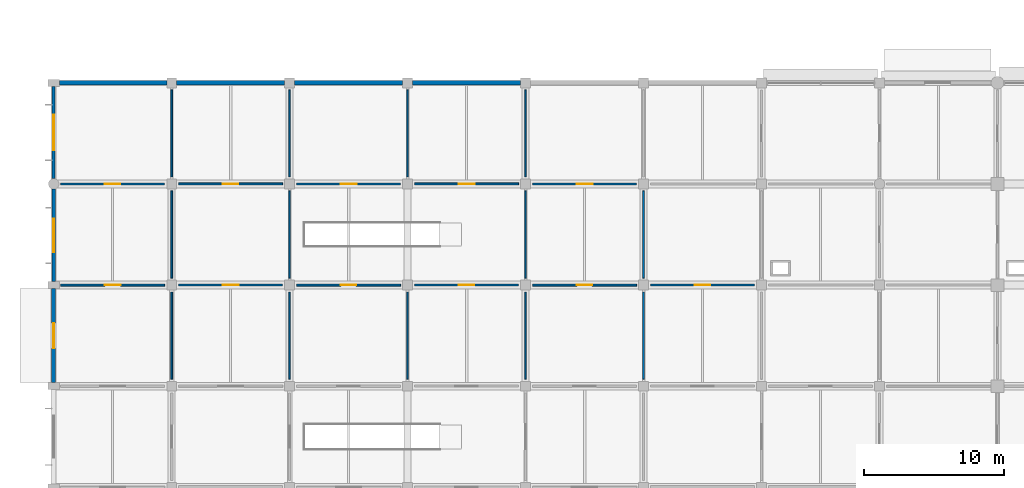
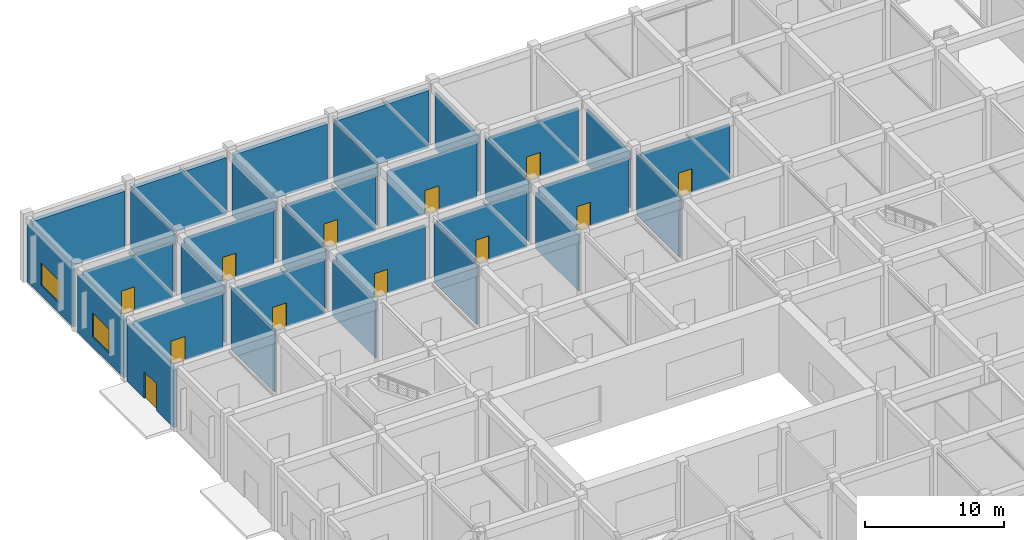
# One storey, part 19 of 39: 31 walls, 12 doors, 2 windows, 14 openings.
"""IFC4 building model written with IfcOpenShell, lengths in metres."""

from ifc_helpers import new_model, si_unit, derived_unit, direction, frame, frame_2d, origin, place, context, subcontext, project, spatial, rectangle, extrude, material, layer, layer_set, type_object, element, fill, save


model = new_model("IFC4")

# Units and contexts
model_context = context("Model", 3, precision=1e-05, world=origin(), true_north=direction((0.0, 1.0)))
body_context = subcontext(model_context, "Body", "Model", "MODEL_VIEW")
ifc_project = project(units=[si_unit("LENGTHUNIT", "METRE"), si_unit("AREAUNIT", "SQUARE_METRE"), si_unit("VOLUMEUNIT", "CUBIC_METRE"), si_unit("PLANEANGLEUNIT", "RADIAN"), si_unit("MASSUNIT", "GRAM", prefix="KILO"), derived_unit("THERMALTRANSMITTANCEUNIT", [(si_unit("MASSUNIT", "GRAM", prefix="KILO"), 1), (si_unit("TIMEUNIT", "SECOND"), -3), (si_unit("THERMODYNAMICTEMPERATUREUNIT", "KELVIN"), -1)])], contexts=[model_context])

# Site, building, storey
site_placement = place(None, origin())
site = spatial("IfcSite", under=ifc_project, at=site_placement, CompositionType="ELEMENT")
building_placement = place(site_placement, origin())
building = spatial("IfcBuilding", under=site, at=building_placement, Name="Veldstrom Oceanarium and Marine Research Institute", CompositionType="ELEMENT")
storey_placement = place(building_placement, origin())
storey = spatial("IfcBuildingStorey", under=building, at=storey_placement, Name="L00", CompositionType="ELEMENT", Elevation=0.0)

# Wall, opening, door
ifc_material_1 = material(Name="Masonry Cavity Wall", Category="masonry")
ifc_layer_1 = layer(ifc_material_1, 0.2900390625)
ifc_layer_set_1 = layer_set([ifc_layer_1], Name="ARC-WAL-EW2")
wall_type_1 = type_object("IfcWallType", Name="ARC-WAL-EW2", PredefinedType="SOLIDWALL", material=ifc_layer_set_1)
wall_1_placement = place(storey_placement, frame((0.0, 50.64990234375, 0.0), z_axis=(0.0, 0.0, 1.0), x_axis=(0.0, 1.0, 0.0)))
wall_1 = element("IfcWall", 1, at=wall_1_placement, inside=storey, type_object=wall_type_1, Name="Exterior Facade Wall EW2 L00-009", PredefinedType="SOLIDWALL", context=body_context, shape_type="SweptSolid", body=[
    extrude(rectangle(XDim=6.7001953125, YDim=0.2900390625, at=frame_2d((3.35009765625, 0.0))), origin(), (0.0, 0.0, 1.0), 5.02001953125),
])
opening_1_placement = place(wall_1_placement, frame((2.449951171875, 0.0, 0.0)))
opening_1 = element("IfcOpeningElement", 2, at=opening_1_placement, cuts=wall_1, Name="Opening D-L00-004", PredefinedType="OPENING", context=body_context, shape_type="SweptSolid", body=[
    extrude(rectangle(XDim=1.800048828125, YDim=2.35009765625, at=frame_2d((0.89990234375, 1.175048828125))), frame((0.0, 0.155029296875, 0.0), z_axis=(0.0, -1.0, 0.0), x_axis=(1.0, 0.0, 0.0)), (0.0, 0.0, 1.0), 0.31005859375),
])
ifc_material_2 = material(Name="Anodised Aluminium Glazed Door", Category="aluminium")
door_type_1 = type_object("IfcDoorType", Name="ARC-DOR-ED2", OperationType="DOUBLE_DOOR_SINGLE_SWING", PredefinedType="DOOR", material=ifc_material_2)
door_1_placement = place(opening_1_placement, origin())
door_1 = element("IfcDoor", 3, at=door_1_placement, inside=storey, type_object=door_type_1, Name="Street Entrance / Exit Door D-L00-004", OperationType="DOUBLE_DOOR_SINGLE_SWING", OverallHeight=2.35009765625, OverallWidth=1.800048828125, PredefinedType="DOOR", context=body_context, shape_type="SweptSolid", body=[
    extrude(rectangle(XDim=1.800048828125, YDim=2.35009765625, at=frame_2d((0.89990234375, 1.175048828125))), frame((0.0, 0.02490234375, 0.0), z_axis=(0.0, -1.0, 0.0), x_axis=(1.0, 0.0, 0.0)), (0.0, 0.0, 1.0), 0.050048828125),
])
fill(opening_1, door_1)

# Wall, opening, window
ifc_material_3 = material(Name="Masonry Cavity Wall", Category="masonry")
ifc_layer_2 = layer(ifc_material_3, 0.27001953125)
ifc_layer_set_2 = layer_set([ifc_layer_2], Name="ARC-WAL-EW3")
wall_type_2 = type_object("IfcWallType", Name="ARC-WAL-EW3", PredefinedType="SOLIDWALL", material=ifc_layer_set_2)
wall_2_placement = place(storey_placement, frame((0.0, 57.85009765625, 0.0), z_axis=(0.0, 0.0, 1.0), x_axis=(0.0, 1.0, 0.0)))
wall_2 = element("IfcWall", 4, at=wall_2_placement, inside=storey, type_object=wall_type_2, Name="Exterior Facade Wall EW3 L00-010", PredefinedType="SOLIDWALL", context=body_context, shape_type="SweptSolid", body=[
    extrude(rectangle(XDim=6.574951171875, YDim=0.27001953125, at=frame_2d((3.28759765625, 0.0))), origin(), (0.0, 0.0, 1.0), 5.02001953125),
])
opening_2_placement = place(wall_2_placement, frame((2.08740234375, 0.0, 0.89990234375)))
opening_2 = element("IfcOpeningElement", 5, at=opening_2_placement, cuts=wall_2, Name="Opening W09", PredefinedType="OPENING", context=body_context, shape_type="SweptSolid", body=[
    extrude(rectangle(XDim=2.39990234375, YDim=2.10009765625, at=frame_2d((1.199951171875, 1.050048828125))), frame((0.0, 0.14501953125, 0.0), z_axis=(0.0, -1.0, 0.0), x_axis=(1.0, 0.0, 0.0)), (0.0, 0.0, 1.0), 0.2900390625),
])
ifc_material_4 = material(Name="Double Glazed Low-E IGU", Category="glass")
window_type_1 = type_object("IfcWindowType", Name="ARC-WIN-W09", PartitioningType="SINGLE_PANEL", PredefinedType="WINDOW", material=ifc_material_4)
window_1_placement = place(opening_2_placement, origin())
window_1 = element("IfcWindow", 6, at=window_1_placement, inside=storey, type_object=window_type_1, Name="Facade Window W09 L00-0007", OverallHeight=2.10009765625, OverallWidth=2.39990234375, PartitioningType="SINGLE_PANEL", PredefinedType="WINDOW", context=body_context, shape_type="SweptSolid", body=[
    extrude(rectangle(XDim=2.39990234375, YDim=2.10009765625, at=frame_2d((1.199951171875, 1.050048828125))), frame((0.0, 0.030029296875, 0.0), z_axis=(0.0, -1.0, 0.0), x_axis=(1.0, 0.0, 0.0)), (0.0, 0.0, 1.0), 0.06005859375),
])
fill(opening_2, window_1)

# Walls
ifc_material_5 = material(Name="Masonry Cavity Wall", Category="masonry")
ifc_layer_3 = layer(ifc_material_5, 0.340087890625)
ifc_layer_set_3 = layer_set([ifc_layer_3], Name="ARC-WAL-EW4")
wall_type_3 = type_object("IfcWallType", Name="ARC-WAL-EW4", PredefinedType="SOLIDWALL", material=ifc_layer_set_3)
wall_3_placement = place(storey_placement, frame((0.39990234375, 72.0, 0.0), z_axis=(0.0, 0.0, 1.0), x_axis=(1.0, 0.0, 0.0)))
element("IfcWall", 7, at=wall_3_placement, inside=storey, type_object=wall_type_3, Name="Exterior Facade Wall EW4 L00-011", PredefinedType="SOLIDWALL", context=body_context, shape_type="SweptSolid", body=[
    extrude(rectangle(XDim=7.650146484375, YDim=0.340087890625, at=frame_2d((3.8251953125, 0.0))), origin(), (0.0, 0.0, 1.0), 5.02001953125),
])
wall_4_placement = place(storey_placement, frame((8.75, 72.0, 0.0), z_axis=(0.0, 0.0, 1.0), x_axis=(1.0, 0.0, 0.0)))
element("IfcWall", 8, at=wall_4_placement, inside=storey, type_object=wall_type_3, Name="Exterior Facade Wall EW4 L00-014", PredefinedType="SOLIDWALL", context=body_context, shape_type="SweptSolid", body=[
    extrude(rectangle(XDim=7.699951171875, YDim=0.340087890625, at=frame_2d((3.85009765625, 0.0))), origin(), (0.0, 0.0, 1.0), 5.02001953125),
])
wall_5_placement = place(storey_placement, frame((17.14990234375, 72.0, 0.0), z_axis=(0.0, 0.0, 1.0), x_axis=(1.0, 0.0, 0.0)))
element("IfcWall", 9, at=wall_5_placement, inside=storey, type_object=wall_type_3, Name="Exterior Facade Wall EW4 L00-016", PredefinedType="SOLIDWALL", context=body_context, shape_type="SweptSolid", body=[
    extrude(rectangle(XDim=7.7001953125, YDim=0.340087890625, at=frame_2d((3.85009765625, 0.0))), origin(), (0.0, 0.0, 1.0), 5.02001953125),
])
wall_6_placement = place(storey_placement, frame((25.550048828125, 72.0, 0.0), z_axis=(0.0, 0.0, 1.0), x_axis=(1.0, 0.0, 0.0)))
element("IfcWall", 10, at=wall_6_placement, inside=storey, type_object=wall_type_3, Name="Exterior Facade Wall EW4 L00-018", PredefinedType="SOLIDWALL", context=body_context, shape_type="SweptSolid", body=[
    extrude(rectangle(XDim=7.699951171875, YDim=0.340087890625, at=frame_2d((3.85009765625, 0.0))), origin(), (0.0, 0.0, 1.0), 5.02001953125),
])

# Wall, opening, window
ifc_material_6 = material(Name="Masonry Cavity Wall", Category="masonry")
ifc_layer_4 = layer(ifc_material_6, 0.215087890625)
ifc_layer_set_4 = layer_set([ifc_layer_4], Name="ARC-WAL-EW6")
wall_type_4 = type_object("IfcWallType", Name="ARC-WAL-EW6", PredefinedType="SOLIDWALL", material=ifc_layer_set_4)
wall_7_placement = place(storey_placement, frame((0.0, 65.175048828125, 0.0), z_axis=(0.0, 0.0, 1.0), x_axis=(0.0, 1.0, 0.0)))
wall_7 = element("IfcWall", 11, at=wall_7_placement, inside=storey, type_object=wall_type_4, Name="Exterior Facade Wall EW6 L00-012", PredefinedType="SOLIDWALL", context=body_context, shape_type="SweptSolid", body=[
    extrude(rectangle(XDim=6.574951171875, YDim=0.215087890625, at=frame_2d((3.28759765625, 0.0))), origin(), (0.0, 0.0, 1.0), 5.02001953125),
])
opening_3_placement = place(wall_7_placement, frame((2.012451171875, 0.0, 0.89990234375)))
opening_3 = element("IfcOpeningElement", 12, at=opening_3_placement, cuts=wall_7, Name="Opening W20", PredefinedType="OPENING", context=body_context, shape_type="SweptSolid", body=[
    extrude(rectangle(XDim=2.550048828125, YDim=1.949951171875, at=frame_2d((1.27490234375, 0.97509765625))), frame((0.0, 0.117431640625, 0.0), z_axis=(0.0, -1.0, 0.0), x_axis=(1.0, 0.0, 0.0)), (0.0, 0.0, 1.0), 0.235107421875),
])
ifc_material_7 = material(Name="Double Glazed Low-E IGU", Category="glass")
window_type_2 = type_object("IfcWindowType", Name="ARC-WIN-W20", PartitioningType="SINGLE_PANEL", PredefinedType="WINDOW", material=ifc_material_7)
window_2_placement = place(opening_3_placement, origin())
window_2 = element("IfcWindow", 13, at=window_2_placement, inside=storey, type_object=window_type_2, Name="Facade Window W20 L00-0008", OverallHeight=1.949951171875, OverallWidth=2.550048828125, PartitioningType="SINGLE_PANEL", PredefinedType="WINDOW", context=body_context, shape_type="SweptSolid", body=[
    extrude(rectangle(XDim=2.550048828125, YDim=1.949951171875, at=frame_2d((1.27490234375, 0.97509765625))), frame((0.0, 0.030029296875, 0.0), z_axis=(0.0, -1.0, 0.0), x_axis=(1.0, 0.0, 0.0)), (0.0, 0.0, 1.0), 0.06005859375),
])
fill(opening_3, window_2)

# Wall, opening, door
ifc_material_8 = material(Name="Drywall Corridor Partition", Category="gypsum")
ifc_layer_5 = layer(ifc_material_8, 0.155029296875)
ifc_layer_set_5 = layer_set([ifc_layer_5], Name="ARC-WAL-PT4")
wall_type_5 = type_object("IfcWallType", Name="ARC-WAL-PT4", PredefinedType="PARTITIONING", material=ifc_layer_set_5)
wall_8_placement = place(storey_placement, frame((0.5, 64.800048828125, 0.0), z_axis=(0.0, 0.0, 1.0), x_axis=(1.0, 0.0, 0.0)))
wall_8 = element("IfcWall", 14, at=wall_8_placement, inside=storey, type_object=wall_type_5, Name="Interior Partition PT4 L00-0588", PredefinedType="PARTITIONING", context=body_context, shape_type="SweptSolid", body=[
    extrude(rectangle(XDim=7.39990234375, YDim=0.155029296875, at=frame_2d((3.699951171875, 0.0))), origin(), (0.0, 0.0, 1.0), 4.8701171875),
])
opening_4_placement = place(wall_8_placement, frame((3.14990234375, 0.0, 0.0)))
opening_4 = element("IfcOpeningElement", 15, at=opening_4_placement, cuts=wall_8, Name="Opening D-L00-344", PredefinedType="OPENING", context=body_context, shape_type="SweptSolid", body=[
    extrude(rectangle(XDim=1.10009765625, YDim=2.10009765625, at=frame_2d((0.550048828125, 1.050048828125))), frame((0.0, 0.08740234375, 0.0), z_axis=(0.0, -1.0, 0.0), x_axis=(1.0, 0.0, 0.0)), (0.0, 0.0, 1.0), 0.175048828125),
])
ifc_material_9 = material(Name="Research Office Door", Category="timber")
door_type_2 = type_object("IfcDoorType", Name="ARC-DOR-ID07", OperationType="SINGLE_SWING_LEFT", PredefinedType="DOOR", material=ifc_material_9)
door_2_placement = place(opening_4_placement, origin())
door_2 = element("IfcDoor", 16, at=door_2_placement, inside=storey, type_object=door_type_2, Name="Interior Door D-L00-344", OperationType="SINGLE_SWING_LEFT", OverallHeight=2.10009765625, OverallWidth=1.10009765625, PredefinedType="DOOR", context=body_context, shape_type="SweptSolid", body=[
    extrude(rectangle(XDim=1.10009765625, YDim=2.10009765625, at=frame_2d((0.550048828125, 1.050048828125))), frame((0.0, 0.02490234375, 0.0), z_axis=(0.0, -1.0, 0.0), x_axis=(1.0, 0.0, 0.0)), (0.0, 0.0, 1.0), 0.050048828125),
])
fill(opening_4, door_2)

wall_9_placement = place(storey_placement, frame((8.89990234375, 57.60009765625, 0.0), z_axis=(0.0, 0.0, 1.0), x_axis=(1.0, 0.0, 0.0)))
wall_9 = element("IfcWall", 17, at=wall_9_placement, inside=storey, type_object=wall_type_5, Name="Interior Partition PT4 L00-0603", PredefinedType="PARTITIONING", context=body_context, shape_type="SweptSolid", body=[
    extrude(rectangle(XDim=7.400146484375, YDim=0.155029296875, at=frame_2d((3.7001953125, 0.0))), origin(), (0.0, 0.0, 1.0), 4.8701171875),
])
opening_5_placement = place(wall_9_placement, frame((3.125, 0.0, 0.0)))
opening_5 = element("IfcOpeningElement", 18, at=opening_5_placement, cuts=wall_9, Name="Opening D-L00-353", PredefinedType="OPENING", context=body_context, shape_type="SweptSolid", body=[
    extrude(rectangle(XDim=1.14990234375, YDim=2.10009765625, at=frame_2d((0.574951171875, 1.050048828125))), frame((0.0, 0.08740234375, 0.0), z_axis=(0.0, -1.0, 0.0), x_axis=(1.0, 0.0, 0.0)), (0.0, 0.0, 1.0), 0.175048828125),
])
ifc_material_10 = material(Name="Fellows Studio Door", Category="timber")
door_type_3 = type_object("IfcDoorType", Name="ARC-DOR-ID17", OperationType="SINGLE_SWING_LEFT", PredefinedType="DOOR", material=ifc_material_10)
door_3_placement = place(opening_5_placement, origin())
door_3 = element("IfcDoor", 19, at=door_3_placement, inside=storey, type_object=door_type_3, Name="Interior Door D-L00-353", OperationType="SINGLE_SWING_LEFT", OverallHeight=2.10009765625, OverallWidth=1.14990234375, PredefinedType="DOOR", context=body_context, shape_type="SweptSolid", body=[
    extrude(rectangle(XDim=1.14990234375, YDim=2.10009765625, at=frame_2d((0.574951171875, 1.050048828125))), frame((0.0, 0.02490234375, 0.0), z_axis=(0.0, -1.0, 0.0), x_axis=(1.0, 0.0, 0.0)), (0.0, 0.0, 1.0), 0.050048828125),
])
fill(opening_5, door_3)

wall_10_placement = place(storey_placement, frame((17.300048828125, 64.800048828125, 0.0), z_axis=(0.0, 0.0, 1.0), x_axis=(1.0, 0.0, 0.0)))
wall_10 = element("IfcWall", 20, at=wall_10_placement, inside=storey, type_object=wall_type_5, Name="Interior Partition PT4 L00-0617", PredefinedType="PARTITIONING", context=body_context, shape_type="SweptSolid", body=[
    extrude(rectangle(XDim=7.39990234375, YDim=0.155029296875, at=frame_2d((3.699951171875, 0.0))), origin(), (0.0, 0.0, 1.0), 4.8701171875),
])
opening_6_placement = place(wall_10_placement, frame((3.125, 0.0, 0.0)))
opening_6 = element("IfcOpeningElement", 21, at=opening_6_placement, cuts=wall_10, Name="Opening D-L00-361", PredefinedType="OPENING", context=body_context, shape_type="SweptSolid", body=[
    extrude(rectangle(XDim=1.14990234375, YDim=2.10009765625, at=frame_2d((0.574951171875, 1.050048828125))), frame((0.0, 0.08740234375, 0.0), z_axis=(0.0, -1.0, 0.0), x_axis=(1.0, 0.0, 0.0)), (0.0, 0.0, 1.0), 0.175048828125),
])
door_4_placement = place(opening_6_placement, origin())
door_4 = element("IfcDoor", 22, at=door_4_placement, inside=storey, type_object=door_type_3, Name="Interior Door D-L00-361", OperationType="SINGLE_SWING_LEFT", OverallHeight=2.10009765625, OverallWidth=1.14990234375, PredefinedType="DOOR", context=body_context, shape_type="SweptSolid", body=[
    extrude(rectangle(XDim=1.14990234375, YDim=2.10009765625, at=frame_2d((0.574951171875, 1.050048828125))), frame((0.0, 0.02490234375, 0.0), z_axis=(0.0, -1.0, 0.0), x_axis=(1.0, 0.0, 0.0)), (0.0, 0.0, 1.0), 0.050048828125),
])
fill(opening_6, door_4)

wall_11_placement = place(storey_placement, frame((25.699951171875, 57.60009765625, 0.0), z_axis=(0.0, 0.0, 1.0), x_axis=(1.0, 0.0, 0.0)))
wall_11 = element("IfcWall", 23, at=wall_11_placement, inside=storey, type_object=wall_type_5, Name="Interior Partition PT4 L00-0629", PredefinedType="PARTITIONING", context=body_context, shape_type="SweptSolid", body=[
    extrude(rectangle(XDim=7.400146484375, YDim=0.155029296875, at=frame_2d((3.7001953125, 0.0))), origin(), (0.0, 0.0, 1.0), 4.8701171875),
])
opening_7_placement = place(wall_11_placement, frame((3.14990234375, 0.0, 0.0)))
opening_7 = element("IfcOpeningElement", 24, at=opening_7_placement, cuts=wall_11, Name="Opening D-L00-368", PredefinedType="OPENING", context=body_context, shape_type="SweptSolid", body=[
    extrude(rectangle(XDim=1.10009765625, YDim=2.10009765625, at=frame_2d((0.550048828125, 1.050048828125))), frame((0.0, 0.08740234375, 0.0), z_axis=(0.0, -1.0, 0.0), x_axis=(1.0, 0.0, 0.0)), (0.0, 0.0, 1.0), 0.175048828125),
])
door_5_placement = place(opening_7_placement, origin())
door_5 = element("IfcDoor", 25, at=door_5_placement, inside=storey, type_object=door_type_2, Name="Interior Door D-L00-368", OperationType="SINGLE_SWING_LEFT", OverallHeight=2.10009765625, OverallWidth=1.10009765625, PredefinedType="DOOR", context=body_context, shape_type="SweptSolid", body=[
    extrude(rectangle(XDim=1.10009765625, YDim=2.10009765625, at=frame_2d((0.550048828125, 1.050048828125))), frame((0.0, 0.02490234375, 0.0), z_axis=(0.0, -1.0, 0.0), x_axis=(1.0, 0.0, 0.0)), (0.0, 0.0, 1.0), 0.050048828125),
])
fill(opening_7, door_5)

wall_12_placement = place(storey_placement, frame((34.10009765625, 64.800048828125, 0.0), z_axis=(0.0, 0.0, 1.0), x_axis=(1.0, 0.0, 0.0)))
wall_12 = element("IfcWall", 26, at=wall_12_placement, inside=storey, type_object=wall_type_5, Name="Interior Partition PT4 L00-0645", PredefinedType="PARTITIONING", context=body_context, shape_type="SweptSolid", body=[
    extrude(rectangle(XDim=7.39990234375, YDim=0.155029296875, at=frame_2d((3.699951171875, 0.0))), origin(), (0.0, 0.0, 1.0), 4.8701171875),
])
opening_8_placement = place(wall_12_placement, frame((3.125, 0.0, 0.0)))
opening_8 = element("IfcOpeningElement", 27, at=opening_8_placement, cuts=wall_12, Name="Opening D-L00-375", PredefinedType="OPENING", context=body_context, shape_type="SweptSolid", body=[
    extrude(rectangle(XDim=1.14990234375, YDim=2.10009765625, at=frame_2d((0.574951171875, 1.050048828125))), frame((0.0, 0.08740234375, 0.0), z_axis=(0.0, -1.0, 0.0), x_axis=(1.0, 0.0, 0.0)), (0.0, 0.0, 1.0), 0.175048828125),
])
door_6_placement = place(opening_8_placement, origin())
door_6 = element("IfcDoor", 28, at=door_6_placement, inside=storey, type_object=door_type_3, Name="Interior Door D-L00-375", OperationType="SINGLE_SWING_LEFT", OverallHeight=2.10009765625, OverallWidth=1.14990234375, PredefinedType="DOOR", context=body_context, shape_type="SweptSolid", body=[
    extrude(rectangle(XDim=1.14990234375, YDim=2.10009765625, at=frame_2d((0.574951171875, 1.050048828125))), frame((0.0, 0.02490234375, 0.0), z_axis=(0.0, -1.0, 0.0), x_axis=(1.0, 0.0, 0.0)), (0.0, 0.0, 1.0), 0.050048828125),
])
fill(opening_8, door_6)

wall_13_placement = place(storey_placement, frame((42.5, 57.60009765625, 0.0), z_axis=(0.0, 0.0, 1.0), x_axis=(1.0, 0.0, 0.0)))
wall_13 = element("IfcWall", 29, at=wall_13_placement, inside=storey, type_object=wall_type_5, Name="Interior Partition PT4 L00-0662", PredefinedType="PARTITIONING", context=body_context, shape_type="SweptSolid", body=[
    extrude(rectangle(XDim=7.39990234375, YDim=0.155029296875, at=frame_2d((3.699951171875, 0.0))), origin(), (0.0, 0.0, 1.0), 4.8701171875),
])
opening_9_placement = place(wall_13_placement, frame((3.14990234375, 0.0, 0.0)))
opening_9 = element("IfcOpeningElement", 30, at=opening_9_placement, cuts=wall_13, Name="Opening D-L00-384", PredefinedType="OPENING", context=body_context, shape_type="SweptSolid", body=[
    extrude(rectangle(XDim=1.10009765625, YDim=2.10009765625, at=frame_2d((0.550048828125, 1.050048828125))), frame((0.0, 0.08740234375, 0.0), z_axis=(0.0, -1.0, 0.0), x_axis=(1.0, 0.0, 0.0)), (0.0, 0.0, 1.0), 0.175048828125),
])
door_7_placement = place(opening_9_placement, origin())
door_7 = element("IfcDoor", 31, at=door_7_placement, inside=storey, type_object=door_type_2, Name="Interior Door D-L00-384", OperationType="SINGLE_SWING_LEFT", OverallHeight=2.10009765625, OverallWidth=1.10009765625, PredefinedType="DOOR", context=body_context, shape_type="SweptSolid", body=[
    extrude(rectangle(XDim=1.10009765625, YDim=2.10009765625, at=frame_2d((0.550048828125, 1.050048828125))), frame((0.0, 0.02490234375, 0.0), z_axis=(0.0, -1.0, 0.0), x_axis=(1.0, 0.0, 0.0)), (0.0, 0.0, 1.0), 0.050048828125),
])
fill(opening_9, door_7)

ifc_material_11 = material(Name="Moisture-Resistant Wet-Area Partition", Category="masonry")
ifc_layer_6 = layer(ifc_material_11, 0.139892578125)
ifc_layer_set_6 = layer_set([ifc_layer_6], Name="ARC-WAL-PT5")
wall_type_6 = type_object("IfcWallType", Name="ARC-WAL-PT5", PredefinedType="PARTITIONING", material=ifc_layer_set_6)
wall_14_placement = place(storey_placement, frame((0.5, 57.60009765625, 0.0), z_axis=(0.0, 0.0, 1.0), x_axis=(1.0, 0.0, 0.0)))
wall_14 = element("IfcWall", 32, at=wall_14_placement, inside=storey, type_object=wall_type_6, Name="Interior Partition PT5 L00-0586", PredefinedType="PARTITIONING", context=body_context, shape_type="SweptSolid", body=[
    extrude(rectangle(XDim=7.39990234375, YDim=0.139892578125, at=frame_2d((3.699951171875, 0.0))), origin(), (0.0, 0.0, 1.0), 4.8701171875),
])
opening_10_placement = place(wall_14_placement, frame((3.125, 0.0, 0.0)))
opening_10 = element("IfcOpeningElement", 33, at=opening_10_placement, cuts=wall_14, Name="Opening D-L00-343", PredefinedType="OPENING", context=body_context, shape_type="SweptSolid", body=[
    extrude(rectangle(XDim=1.14990234375, YDim=2.10009765625, at=frame_2d((0.574951171875, 1.050048828125))), frame((0.0, 0.079833984375, 0.0), z_axis=(0.0, -1.0, 0.0), x_axis=(1.0, 0.0, 0.0)), (0.0, 0.0, 1.0), 0.159912109375),
])
door_8_placement = place(opening_10_placement, frame((1.14990234375, 0.0, 0.0), z_axis=(0.0, 0.0, 1.0), x_axis=(-1.0, 0.0, 0.0)))
door_8 = element("IfcDoor", 34, at=door_8_placement, inside=storey, type_object=door_type_3, Name="Interior Door D-L00-343", OperationType="SINGLE_SWING_LEFT", OverallHeight=2.10009765625, OverallWidth=1.14990234375, PredefinedType="DOOR", context=body_context, shape_type="SweptSolid", body=[
    extrude(rectangle(XDim=1.14990234375, YDim=2.10009765625, at=frame_2d((0.574951171875, 1.050048828125))), frame((0.0, 0.02490234375, 0.0), z_axis=(0.0, -1.0, 0.0), x_axis=(1.0, 0.0, 0.0)), (0.0, 0.0, 1.0), 0.050048828125),
])
fill(opening_10, door_8)

wall_15_placement = place(storey_placement, frame((8.89990234375, 64.800048828125, 0.0), z_axis=(0.0, 0.0, 1.0), x_axis=(1.0, 0.0, 0.0)))
wall_15 = element("IfcWall", 35, at=wall_15_placement, inside=storey, type_object=wall_type_6, Name="Interior Partition PT5 L00-0605", PredefinedType="PARTITIONING", context=body_context, shape_type="SweptSolid", body=[
    extrude(rectangle(XDim=7.400146484375, YDim=0.139892578125, at=frame_2d((3.7001953125, 0.0))), origin(), (0.0, 0.0, 1.0), 4.8701171875),
])
opening_11_placement = place(wall_15_placement, frame((3.14990234375, 0.0, 0.0)))
opening_11 = element("IfcOpeningElement", 36, at=opening_11_placement, cuts=wall_15, Name="Opening D-L00-354", PredefinedType="OPENING", context=body_context, shape_type="SweptSolid", body=[
    extrude(rectangle(XDim=1.10009765625, YDim=2.10009765625, at=frame_2d((0.550048828125, 1.050048828125))), frame((0.0, 0.079833984375, 0.0), z_axis=(0.0, -1.0, 0.0), x_axis=(1.0, 0.0, 0.0)), (0.0, 0.0, 1.0), 0.159912109375),
])
door_9_placement = place(opening_11_placement, frame((1.10009765625, 0.0, 0.0), z_axis=(0.0, 0.0, 1.0), x_axis=(-1.0, 0.0, 0.0)))
door_9 = element("IfcDoor", 37, at=door_9_placement, inside=storey, type_object=door_type_2, Name="Interior Door D-L00-354", OperationType="SINGLE_SWING_LEFT", OverallHeight=2.10009765625, OverallWidth=1.10009765625, PredefinedType="DOOR", context=body_context, shape_type="SweptSolid", body=[
    extrude(rectangle(XDim=1.10009765625, YDim=2.10009765625, at=frame_2d((0.550048828125, 1.050048828125))), frame((0.0, 0.02490234375, 0.0), z_axis=(0.0, -1.0, 0.0), x_axis=(1.0, 0.0, 0.0)), (0.0, 0.0, 1.0), 0.050048828125),
])
fill(opening_11, door_9)

wall_16_placement = place(storey_placement, frame((17.300048828125, 57.60009765625, 0.0), z_axis=(0.0, 0.0, 1.0), x_axis=(1.0, 0.0, 0.0)))
wall_16 = element("IfcWall", 38, at=wall_16_placement, inside=storey, type_object=wall_type_6, Name="Interior Partition PT5 L00-0616", PredefinedType="PARTITIONING", context=body_context, shape_type="SweptSolid", body=[
    extrude(rectangle(XDim=7.39990234375, YDim=0.139892578125, at=frame_2d((3.699951171875, 0.0))), origin(), (0.0, 0.0, 1.0), 4.8701171875),
])
opening_12_placement = place(wall_16_placement, frame((3.14990234375, 0.0, 0.0)))
opening_12 = element("IfcOpeningElement", 39, at=opening_12_placement, cuts=wall_16, Name="Opening D-L00-360", PredefinedType="OPENING", context=body_context, shape_type="SweptSolid", body=[
    extrude(rectangle(XDim=1.10009765625, YDim=2.10009765625, at=frame_2d((0.550048828125, 1.050048828125))), frame((0.0, 0.079833984375, 0.0), z_axis=(0.0, -1.0, 0.0), x_axis=(1.0, 0.0, 0.0)), (0.0, 0.0, 1.0), 0.159912109375),
])
door_10_placement = place(opening_12_placement, frame((1.10009765625, 0.0, 0.0), z_axis=(0.0, 0.0, 1.0), x_axis=(-1.0, 0.0, 0.0)))
door_10 = element("IfcDoor", 40, at=door_10_placement, inside=storey, type_object=door_type_2, Name="Interior Door D-L00-360", OperationType="SINGLE_SWING_LEFT", OverallHeight=2.10009765625, OverallWidth=1.10009765625, PredefinedType="DOOR", context=body_context, shape_type="SweptSolid", body=[
    extrude(rectangle(XDim=1.10009765625, YDim=2.10009765625, at=frame_2d((0.550048828125, 1.050048828125))), frame((0.0, 0.02490234375, 0.0), z_axis=(0.0, -1.0, 0.0), x_axis=(1.0, 0.0, 0.0)), (0.0, 0.0, 1.0), 0.050048828125),
])
fill(opening_12, door_10)

wall_17_placement = place(storey_placement, frame((25.699951171875, 64.800048828125, 0.0), z_axis=(0.0, 0.0, 1.0), x_axis=(1.0, 0.0, 0.0)))
wall_17 = element("IfcWall", 41, at=wall_17_placement, inside=storey, type_object=wall_type_6, Name="Interior Partition PT5 L00-0631", PredefinedType="PARTITIONING", context=body_context, shape_type="SweptSolid", body=[
    extrude(rectangle(XDim=7.400146484375, YDim=0.139892578125, at=frame_2d((3.7001953125, 0.0))), origin(), (0.0, 0.0, 1.0), 4.8701171875),
])
opening_13_placement = place(wall_17_placement, frame((3.125, 0.0, 0.0)))
opening_13 = element("IfcOpeningElement", 42, at=opening_13_placement, cuts=wall_17, Name="Opening D-L00-369", PredefinedType="OPENING", context=body_context, shape_type="SweptSolid", body=[
    extrude(rectangle(XDim=1.14990234375, YDim=2.10009765625, at=frame_2d((0.574951171875, 1.050048828125))), frame((0.0, 0.079833984375, 0.0), z_axis=(0.0, -1.0, 0.0), x_axis=(1.0, 0.0, 0.0)), (0.0, 0.0, 1.0), 0.159912109375),
])
door_11_placement = place(opening_13_placement, frame((1.14990234375, 0.0, 0.0), z_axis=(0.0, 0.0, 1.0), x_axis=(-1.0, 0.0, 0.0)))
door_11 = element("IfcDoor", 43, at=door_11_placement, inside=storey, type_object=door_type_3, Name="Interior Door D-L00-369", OperationType="SINGLE_SWING_LEFT", OverallHeight=2.10009765625, OverallWidth=1.14990234375, PredefinedType="DOOR", context=body_context, shape_type="SweptSolid", body=[
    extrude(rectangle(XDim=1.14990234375, YDim=2.10009765625, at=frame_2d((0.574951171875, 1.050048828125))), frame((0.0, 0.02490234375, 0.0), z_axis=(0.0, -1.0, 0.0), x_axis=(1.0, 0.0, 0.0)), (0.0, 0.0, 1.0), 0.050048828125),
])
fill(opening_13, door_11)

wall_18_placement = place(storey_placement, frame((34.10009765625, 57.60009765625, 0.0), z_axis=(0.0, 0.0, 1.0), x_axis=(1.0, 0.0, 0.0)))
wall_18 = element("IfcWall", 44, at=wall_18_placement, inside=storey, type_object=wall_type_6, Name="Interior Partition PT5 L00-0643", PredefinedType="PARTITIONING", context=body_context, shape_type="SweptSolid", body=[
    extrude(rectangle(XDim=7.39990234375, YDim=0.139892578125, at=frame_2d((3.699951171875, 0.0))), origin(), (0.0, 0.0, 1.0), 4.8701171875),
])
opening_14_placement = place(wall_18_placement, frame((3.14990234375, 0.0, 0.0)))
opening_14 = element("IfcOpeningElement", 45, at=opening_14_placement, cuts=wall_18, Name="Opening D-L00-374", PredefinedType="OPENING", context=body_context, shape_type="SweptSolid", body=[
    extrude(rectangle(XDim=1.10009765625, YDim=2.10009765625, at=frame_2d((0.550048828125, 1.050048828125))), frame((0.0, 0.079833984375, 0.0), z_axis=(0.0, -1.0, 0.0), x_axis=(1.0, 0.0, 0.0)), (0.0, 0.0, 1.0), 0.159912109375),
])
door_12_placement = place(opening_14_placement, frame((1.10009765625, 0.0, 0.0), z_axis=(0.0, 0.0, 1.0), x_axis=(-1.0, 0.0, 0.0)))
door_12 = element("IfcDoor", 46, at=door_12_placement, inside=storey, type_object=door_type_2, Name="Interior Door D-L00-374", OperationType="SINGLE_SWING_LEFT", OverallHeight=2.10009765625, OverallWidth=1.10009765625, PredefinedType="DOOR", context=body_context, shape_type="SweptSolid", body=[
    extrude(rectangle(XDim=1.10009765625, YDim=2.10009765625, at=frame_2d((0.550048828125, 1.050048828125))), frame((0.0, 0.02490234375, 0.0), z_axis=(0.0, -1.0, 0.0), x_axis=(1.0, 0.0, 0.0)), (0.0, 0.0, 1.0), 0.050048828125),
])
fill(opening_14, door_12)

# Walls
ifc_material_12 = material(Name="Lightweight Studio Partition", Category="gypsum")
ifc_layer_7 = layer(ifc_material_12, 0.1201171875)
ifc_layer_set_7 = layer_set([ifc_layer_7], Name="ARC-WAL-PT6")
wall_type_7 = type_object("IfcWallType", Name="ARC-WAL-PT6", PredefinedType="PARTITIONING", material=ifc_layer_set_7)
wall_19_placement = place(storey_placement, frame((8.39990234375, 50.89990234375, 0.0), z_axis=(0.0, 0.0, 1.0), x_axis=(0.0, 1.0, 0.0)))
element("IfcWall", 47, at=wall_19_placement, inside=storey, type_object=wall_type_7, Name="Interior Partition PT6 L00-0585", PredefinedType="PARTITIONING", context=body_context, shape_type="SweptSolid", body=[
    extrude(rectangle(XDim=6.2001953125, YDim=0.1201171875, at=frame_2d((3.10009765625, 0.0))), origin(), (0.0, 0.0, 1.0), 5.3798828125),
])
wall_20_placement = place(storey_placement, frame((8.39990234375, 58.10009765625, 0.0), z_axis=(0.0, 0.0, 1.0), x_axis=(0.0, 1.0, 0.0)))
element("IfcWall", 48, at=wall_20_placement, inside=storey, type_object=wall_type_7, Name="Interior Partition PT6 L00-0587", PredefinedType="PARTITIONING", context=body_context, shape_type="SweptSolid", body=[
    extrude(rectangle(XDim=6.199951171875, YDim=0.1201171875, at=frame_2d((3.10009765625, 0.0))), origin(), (0.0, 0.0, 1.0), 4.919921875),
])
wall_21_placement = place(storey_placement, frame((8.39990234375, 65.300048828125, 0.0), z_axis=(0.0, 0.0, 1.0), x_axis=(0.0, 1.0, 0.0)))
element("IfcWall", 49, at=wall_21_placement, inside=storey, type_object=wall_type_7, Name="Interior Partition PT6 L00-0589", PredefinedType="PARTITIONING", context=body_context, shape_type="SweptSolid", body=[
    extrude(rectangle(XDim=6.199951171875, YDim=0.1201171875, at=frame_2d((3.10009765625, 0.0))), origin(), (0.0, 0.0, 1.0), 5.169921875),
])
wall_22_placement = place(storey_placement, frame((16.800048828125, 50.89990234375, 0.0), z_axis=(0.0, 0.0, 1.0), x_axis=(0.0, 1.0, 0.0)))
element("IfcWall", 50, at=wall_22_placement, inside=storey, type_object=wall_type_7, Name="Interior Partition PT6 L00-0602", PredefinedType="PARTITIONING", context=body_context, shape_type="SweptSolid", body=[
    extrude(rectangle(XDim=6.2001953125, YDim=0.1201171875, at=frame_2d((3.10009765625, 0.0))), origin(), (0.0, 0.0, 1.0), 4.919921875),
])
wall_23_placement = place(storey_placement, frame((16.800048828125, 58.10009765625, 0.0), z_axis=(0.0, 0.0, 1.0), x_axis=(0.0, 1.0, 0.0)))
element("IfcWall", 51, at=wall_23_placement, inside=storey, type_object=wall_type_7, Name="Interior Partition PT6 L00-0604", PredefinedType="PARTITIONING", context=body_context, shape_type="SweptSolid", body=[
    extrude(rectangle(XDim=6.199951171875, YDim=0.1201171875, at=frame_2d((3.10009765625, 0.0))), origin(), (0.0, 0.0, 1.0), 5.169921875),
])
wall_24_placement = place(storey_placement, frame((16.800048828125, 65.300048828125, 0.0), z_axis=(0.0, 0.0, 1.0), x_axis=(0.0, 1.0, 0.0)))
element("IfcWall", 52, at=wall_24_placement, inside=storey, type_object=wall_type_7, Name="Interior Partition PT6 L00-0606", PredefinedType="PARTITIONING", context=body_context, shape_type="SweptSolid", body=[
    extrude(rectangle(XDim=6.199951171875, YDim=0.1201171875, at=frame_2d((3.10009765625, 0.0))), origin(), (0.0, 0.0, 1.0), 4.919921875),
])
wall_25_placement = place(storey_placement, frame((25.199951171875, 50.89990234375, 0.0), z_axis=(0.0, 0.0, 1.0), x_axis=(0.0, 1.0, 0.0)))
element("IfcWall", 53, at=wall_25_placement, inside=storey, type_object=wall_type_7, Name="Interior Partition PT6 L00-0615", PredefinedType="PARTITIONING", context=body_context, shape_type="SweptSolid", body=[
    extrude(rectangle(XDim=6.2001953125, YDim=0.1201171875, at=frame_2d((3.10009765625, 0.0))), origin(), (0.0, 0.0, 1.0), 5.169921875),
])
wall_26_placement = place(storey_placement, frame((25.199951171875, 65.300048828125, 0.0), z_axis=(0.0, 0.0, 1.0), x_axis=(0.0, 1.0, 0.0)))
element("IfcWall", 54, at=wall_26_placement, inside=storey, type_object=wall_type_7, Name="Interior Partition PT6 L00-0618", PredefinedType="PARTITIONING", context=body_context, shape_type="SweptSolid", body=[
    extrude(rectangle(XDim=6.199951171875, YDim=0.1201171875, at=frame_2d((3.10009765625, 0.0))), origin(), (0.0, 0.0, 1.0), 5.27001953125),
])
wall_27_placement = place(storey_placement, frame((33.60009765625, 50.89990234375, 0.0), z_axis=(0.0, 0.0, 1.0), x_axis=(0.0, 1.0, 0.0)))
element("IfcWall", 55, at=wall_27_placement, inside=storey, type_object=wall_type_7, Name="Interior Partition PT6 L00-0628", PredefinedType="PARTITIONING", context=body_context, shape_type="SweptSolid", body=[
    extrude(rectangle(XDim=6.2001953125, YDim=0.1201171875, at=frame_2d((3.10009765625, 0.0))), origin(), (0.0, 0.0, 1.0), 4.919921875),
])
wall_28_placement = place(storey_placement, frame((33.60009765625, 58.10009765625, 0.0), z_axis=(0.0, 0.0, 1.0), x_axis=(0.0, 1.0, 0.0)))
element("IfcWall", 56, at=wall_28_placement, inside=storey, type_object=wall_type_7, Name="Interior Partition PT6 L00-0630", PredefinedType="PARTITIONING", context=body_context, shape_type="SweptSolid", body=[
    extrude(rectangle(XDim=6.199951171875, YDim=0.1201171875, at=frame_2d((3.10009765625, 0.0))), origin(), (0.0, 0.0, 1.0), 5.27001953125),
])
wall_29_placement = place(storey_placement, frame((33.60009765625, 65.300048828125, 0.0), z_axis=(0.0, 0.0, 1.0), x_axis=(0.0, 1.0, 0.0)))
element("IfcWall", 57, at=wall_29_placement, inside=storey, type_object=wall_type_7, Name="Interior Partition PT6 L00-0632", PredefinedType="PARTITIONING", context=body_context, shape_type="SweptSolid", body=[
    extrude(rectangle(XDim=6.199951171875, YDim=0.1201171875, at=frame_2d((3.10009765625, 0.0))), origin(), (0.0, 0.0, 1.0), 4.919921875),
])
wall_30_placement = place(storey_placement, frame((42.0, 50.89990234375, 0.0), z_axis=(0.0, 0.0, 1.0), x_axis=(0.0, 1.0, 0.0)))
element("IfcWall", 58, at=wall_30_placement, inside=storey, type_object=wall_type_7, Name="Interior Partition PT6 L00-0642", PredefinedType="PARTITIONING", context=body_context, shape_type="SweptSolid", body=[
    extrude(rectangle(XDim=6.2001953125, YDim=0.1201171875, at=frame_2d((3.10009765625, 0.0))), origin(), (0.0, 0.0, 1.0), 5.27001953125),
])
wall_31_placement = place(storey_placement, frame((42.0, 58.10009765625, 0.0), z_axis=(0.0, 0.0, 1.0), x_axis=(0.0, 1.0, 0.0)))
element("IfcWall", 59, at=wall_31_placement, inside=storey, type_object=wall_type_7, Name="Interior Partition PT6 L00-0644", PredefinedType="PARTITIONING", context=body_context, shape_type="SweptSolid", body=[
    extrude(rectangle(XDim=6.199951171875, YDim=0.1201171875, at=frame_2d((3.10009765625, 0.0))), origin(), (0.0, 0.0, 1.0), 4.919921875),
])

save(model, "model.ifc")
